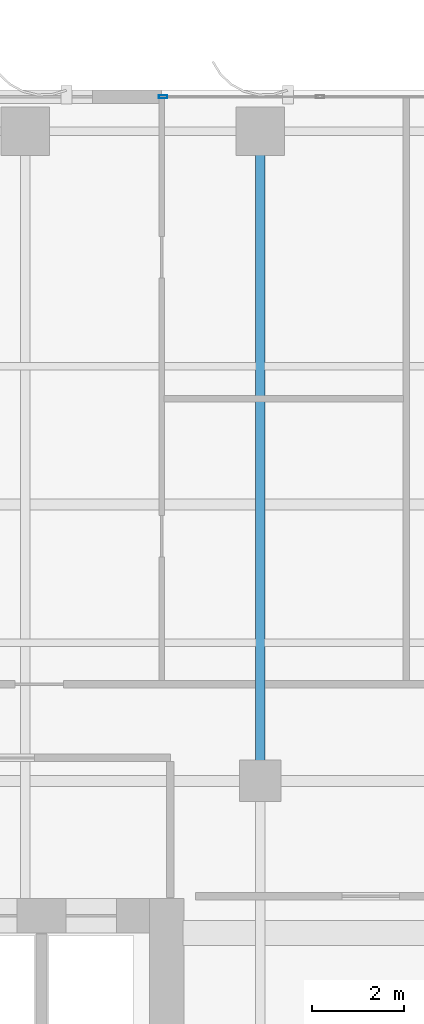
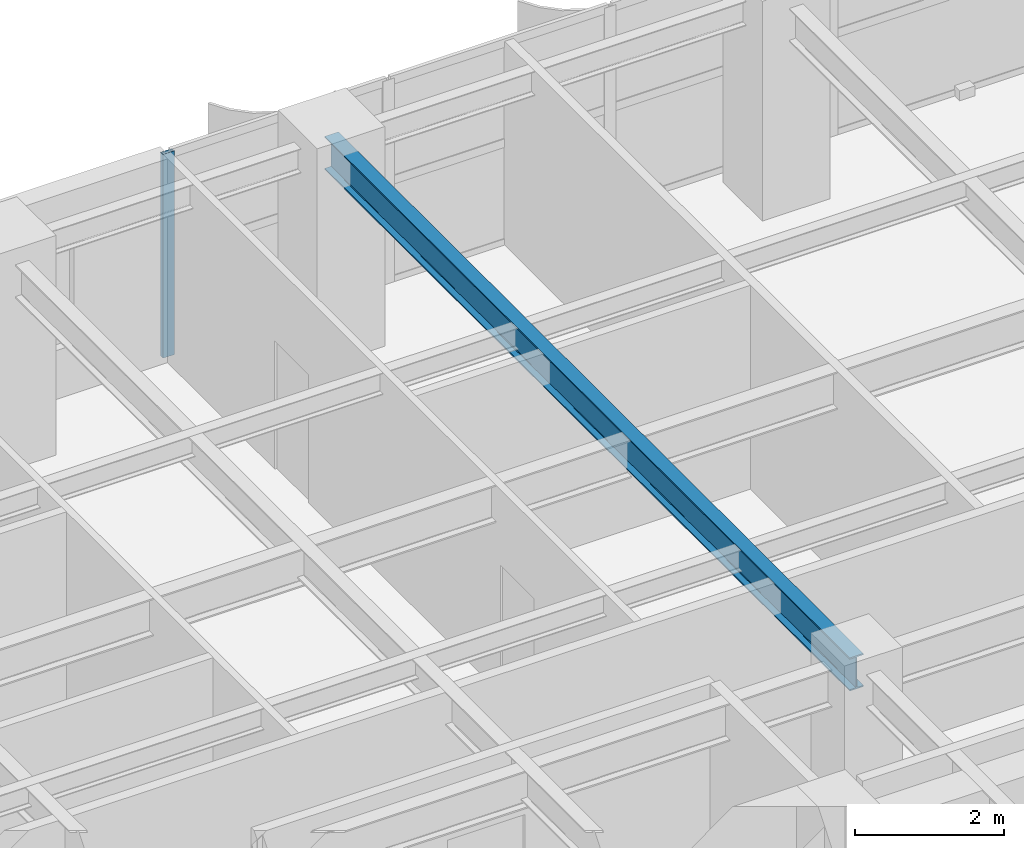
# One storey, part 14 of 26: 1 beam, 1 member, 1 element without a shape of its own.
"""IFC4 building model written with IfcOpenShell, lengths in metres."""

import ifcopenshell
import ifcopenshell.guid

model = None  # the IFC model being written
_history = None  # IfcOwnerHistory: only IFC2X3 demands one
_inside = {}  # id of a spatial element -> (the spatial element, [elements in it])
_under = {}  # id of a project, library or spatial element -> (it, [spatial elements below it])
_declared = {}  # id of a project -> (the project, [libraries it declares])
_typed = {}  # id of a type object -> (the type object, [elements of that type])
_made_of = {}  # id of a material, layer set ... -> (it, [elements and type objects made of it])


def new_model(schema):
    """Start an empty IFC model of exactly this schema.

    Asked for "IFC4X3", IfcOpenShell would pick the latest addendum, in which some entities
    have other attributes; the version numbers below select the first issue.
    IFC2X3 requires an IfcOwnerHistory on every rooted entity: one is made here for all.
    """
    global model, _history
    if schema == "IFC4X3":
        model = ifcopenshell.file(schema_version=(4, 3, 0, 0))
    else:
        model = ifcopenshell.file(schema=schema)
    _inside.clear()
    _under.clear()
    _declared.clear()
    _typed.clear()
    _made_of.clear()
    _history = None
    if model.schema == "IFC2X3":
        org = make("IfcOrganization", Name="unknown")
        user = make(
            "IfcPersonAndOrganization",
            ThePerson=make("IfcPerson", FamilyName="unknown"),
            TheOrganization=org,
        )
        app = make(
            "IfcApplication",
            ApplicationDeveloper=org,
            Version="unknown",
            ApplicationFullName="unknown",
            ApplicationIdentifier="unknown",
        )
        _history = make(
            "IfcOwnerHistory",
            OwningUser=user,
            OwningApplication=app,
            ChangeAction="ADDED",
            CreationDate=0,
        )
    return model


def make(cls, **values):
    """One entity of the class cls with the attributes given. An attribute that is None is left unset."""
    return model.create_entity(
        cls, **{name: value for name, value in values.items() if value is not None}
    )


def rooted(cls, **values):
    """An entity with a GlobalId (a new one), such as an element, a storey or a relation."""
    return make(cls, GlobalId=ifcopenshell.guid.new(), OwnerHistory=_history, **values)


def si_unit(unit_type, name, prefix=None):
    """IfcSIUnit, for example si_unit("LENGTHUNIT", "METRE", prefix="MILLI")."""
    return make("IfcSIUnit", UnitType=unit_type, Prefix=prefix, Name=name)


def assignment(units):
    """IfcUnitAssignment: the units of a project."""
    return None if units is None else make("IfcUnitAssignment", Units=units)


def point(xyz):
    """IfcCartesianPoint."""
    return None if xyz is None else make("IfcCartesianPoint", Coordinates=xyz)


def direction(xyz):
    """IfcDirection."""
    return None if xyz is None else make("IfcDirection", DirectionRatios=xyz)


def frame(location, z_axis=None, x_axis=None):
    """IfcAxis2Placement3D, a coordinate frame: its origin and axes. An axis left out is left unset."""
    return make(
        "IfcAxis2Placement3D",
        Location=point(location),
        Axis=direction(z_axis),
        RefDirection=direction(x_axis),
    )


def frame_2d(location, x_axis=None):
    """IfcAxis2Placement2D, a coordinate frame in the plane: its origin and x axis."""
    return make(
        "IfcAxis2Placement2D", Location=point(location), RefDirection=direction(x_axis)
    )


def origin():
    """The frame at (0, 0, 0) with its axes left unset."""
    return frame((0.0, 0.0, 0.0))


def origin_2d():
    """The frame at (0, 0) in the plane with its x axis left unset."""
    return frame_2d((0.0, 0.0))


def place(relative_to, where):
    """IfcLocalPlacement: puts the frame where relative to a parent placement (None: the world)."""
    return make(
        "IfcLocalPlacement", PlacementRelTo=relative_to, RelativePlacement=where
    )


def context(
    kind, dimensions, precision=None, world=None, true_north=None, identifier=None
):
    """IfcGeometricRepresentationContext, for example the 3D "Model" context."""
    return make(
        "IfcGeometricRepresentationContext",
        ContextIdentifier=identifier,
        ContextType=kind,
        CoordinateSpaceDimension=dimensions,
        Precision=precision,
        WorldCoordinateSystem=world,
        TrueNorth=true_north,
    )


def subcontext(parent, identifier, kind, view, scale=None):
    """IfcGeometricRepresentationSubContext, for example "Body" below "Model"."""
    return make(
        "IfcGeometricRepresentationSubContext",
        ContextIdentifier=identifier,
        ContextType=kind,
        ParentContext=parent,
        TargetScale=scale,
        TargetView=view,
    )


def project(units=None, contexts=None):
    """IfcProject with its units and contexts."""
    return rooted(
        "IfcProject",
        Name="project",
        RepresentationContexts=contexts,
        UnitsInContext=assignment(units),
    )


def spatial(cls, under=None, at=None, **own):
    """A site, building, storey or space (cls), placed at a placement, below another one or the project."""
    s = rooted(cls, ObjectPlacement=at, **own)
    if under is not None:
        _under.setdefault(under.id(), (under, []))[1].append(s)
    return s


def profile(cls, at=None, kind="AREA", **sizes):
    """A parametric profile (cls). Its sizes go by their IFC names, for example OverallWidth=200.0."""
    return make(cls, ProfileType=kind, Position=at, **sizes)


def hollow_rectangle(**sizes):
    """IfcRectangleHollowProfileDef."""
    return profile("IfcRectangleHollowProfileDef", **sizes)


def i_section(**sizes):
    """IfcIShapeProfileDef."""
    return profile("IfcIShapeProfileDef", **sizes)


def extrude(swept, where, along, depth):
    """IfcExtrudedAreaSolid: the profile swept, set in the frame where, extruded along a direction by depth."""
    return make(
        "IfcExtrudedAreaSolid",
        SweptArea=swept,
        Position=where,
        ExtrudedDirection=direction(along),
        Depth=depth,
    )


def shape(context_of_items, identifier, shape_type, items):
    """IfcShapeRepresentation: the items that make up one representation, for example the "Body"."""
    return make(
        "IfcShapeRepresentation",
        ContextOfItems=context_of_items,
        RepresentationIdentifier=identifier,
        RepresentationType=shape_type,
        Items=items,
    )


def source(mapping_origin, context_of_items, identifier, shape_type, items):
    """IfcRepresentationMap: a shape defined once, which mapped items show again and again."""
    return make(
        "IfcRepresentationMap",
        MappingOrigin=mapping_origin,
        MappedRepresentation=shape(context_of_items, identifier, shape_type, items),
    )


def transform(
    local_origin,
    x_axis=None,
    y_axis=None,
    z_axis=None,
    scale=None,
    scale2=None,
    scale3=None,
    uniform=True,
):
    """IfcCartesianTransformationOperator3D, or its non-uniform kind. x_axis, y_axis, z_axis: its Axis1, 2, 3."""
    if uniform:
        return make(
            "IfcCartesianTransformationOperator3D",
            Axis1=direction(x_axis),
            Axis2=direction(y_axis),
            LocalOrigin=point(local_origin),
            Scale=scale,
            Axis3=direction(z_axis),
        )
    return make(
        "IfcCartesianTransformationOperator3DnonUniform",
        Axis1=direction(x_axis),
        Axis2=direction(y_axis),
        LocalOrigin=point(local_origin),
        Scale=scale,
        Axis3=direction(z_axis),
        Scale2=scale2,
        Scale3=scale3,
    )


def mapped(mapping_source, mapping_target):
    """IfcMappedItem: shows the shape of a source again, moved by a transform."""
    return make(
        "IfcMappedItem", MappingSource=mapping_source, MappingTarget=mapping_target
    )


def material(Name=None, Category=None):
    """IfcMaterial."""
    return make("IfcMaterial", Name=Name, Category=Category)


def layer(
    of_material, thickness, ventilated=None, Name=None, Category=None, Priority=None
):
    """IfcMaterialLayer: one layer of a wall or slab, of a material (None: an air gap)."""
    return make(
        "IfcMaterialLayer",
        Material=of_material,
        LayerThickness=thickness,
        IsVentilated=ventilated,
        Name=Name,
        Category=Category,
        Priority=Priority,
    )


def layer_set(layers, Name=None):
    """IfcMaterialLayerSet."""
    return make("IfcMaterialLayerSet", MaterialLayers=layers, LayerSetName=Name)


def material_profile(
    of_material, cross_section, Name=None, Category=None, Priority=None
):
    """IfcMaterialProfile: a cross section and its material."""
    return make(
        "IfcMaterialProfile",
        Name=Name,
        Material=of_material,
        Profile=cross_section,
        Priority=Priority,
        Category=Category,
    )


def profile_set(profiles, Name=None, composite=None):
    """IfcMaterialProfileSet."""
    return make(
        "IfcMaterialProfileSet",
        Name=Name,
        MaterialProfiles=profiles,
        CompositeProfile=composite,
    )


def made_of(thing, what):
    """Note that an element or type object is made of a material, layer set ...; save() writes the relation."""
    if what is not None:
        _made_of.setdefault(what.id(), (what, []))[1].append(thing)
    return thing


def type_object(cls, material=None, **own):
    """A type object (cls), such as IfcWallType, which elements share."""
    return made_of(rooted(cls, **own), material)


def element(
    cls,
    number,
    at=None,
    inside=None,
    cuts=None,
    type_object=None,
    material=None,
    context=None,
    identifier="Body",
    shape_type=None,
    held_by="IfcProductDefinitionShape",
    body=None,
    shapes=None,
    **own,
):
    """One element of the class cls, such as IfcWall. Its Tag is "e" and its number.

    at: its placement. inside: the storey or other place that contains it. cuts: it is an
    opening in that element (IfcRelVoidsElement). A single representation is given by context,
    identifier, shape_type and body (its items); several are given by shapes. held_by: the class
    of the entity that holds the representations. save() writes the other relations.
    """
    e = rooted(cls, Tag="e%d" % number, ObjectPlacement=at, **own)
    if body is not None:
        shapes = [shape(context, identifier, shape_type, body)]
    if shapes is not None:
        e.Representation = make(held_by, Representations=shapes)
    if inside is not None:
        _inside.setdefault(inside.id(), (inside, []))[1].append(e)
    if cuts is not None:
        rooted(
            "IfcRelVoidsElement", RelatingBuildingElement=cuts, RelatedOpeningElement=e
        )
    if type_object is not None:
        _typed.setdefault(type_object.id(), (type_object, []))[1].append(e)
    return made_of(e, material)


def aggregate(whole, parts):
    """IfcRelAggregates: a whole, such as a stair, and the parts it consists of."""
    return rooted("IfcRelAggregates", RelatingObject=whole, RelatedObjects=parts)


def save(model, path):
    """Write the relations noted so far, then the file.

    IfcRelAggregates (storeys below a building ...), IfcRelContainedInSpatialStructure (elements
    in a storey), IfcRelDefinesByType, IfcRelAssociatesMaterial and IfcRelDeclares: one each for
    every whole, place, type object, material and project.
    """
    for whole, parts in _under.values():
        aggregate(whole, parts)
    for where, things in _inside.values():
        rooted(
            "IfcRelContainedInSpatialStructure",
            RelatedElements=things,
            RelatingStructure=where,
        )
    for kind, things in _typed.values():
        rooted("IfcRelDefinesByType", RelatedObjects=things, RelatingType=kind)
    for what, things in _made_of.values():
        rooted("IfcRelAssociatesMaterial", RelatedObjects=things, RelatingMaterial=what)
    for by, libraries in _declared.values():
        rooted("IfcRelDeclares", RelatingContext=by, RelatedDefinitions=libraries)
    model.write(path)


model = new_model("IFC4")

# Units and contexts
model_context = context("Model", 3, precision=1e-05, world=origin(), true_north=direction((0.0, 1.0)))
body_context = subcontext(model_context, "Body", "Model", "MODEL_VIEW")
ifc_project = project(units=[si_unit("LENGTHUNIT", "METRE"), si_unit("AREAUNIT", "SQUARE_METRE"), si_unit("VOLUMEUNIT", "CUBIC_METRE"), si_unit("PLANEANGLEUNIT", "RADIAN"), si_unit("MASSUNIT", "GRAM", prefix="KILO")], contexts=[model_context])

# Site, building, storey
site_placement = place(None, origin())
site = spatial("IfcSite", under=ifc_project, at=site_placement, CompositionType="ELEMENT")
building_placement = place(site_placement, origin())
building = spatial("IfcBuilding", under=site, at=building_placement, Name="Khoralis Quay Care Tower", CompositionType="ELEMENT")
storey_placement = place(building_placement, frame((0.0, 0.0, 126.89990234375)))
storey = spatial("IfcBuildingStorey", under=building, at=storey_placement, Name="L33", CompositionType="ELEMENT", Elevation=126.89990234375)

# Beam
ifc_material_1 = material(Name="Steel S355", Category="steel")
ifc_material_profile_1 = material_profile(ifc_material_1, i_section(OverallWidth=0.2119140625, OverallDepth=0.5439453125, WebThickness=0.01318359375, FlangeThickness=0.021240234375, FilletRadius=0.01611328125, at=origin_2d()), Name="Steel S355")
ifc_profile_set_1 = profile_set([ifc_material_profile_1], Name="Steel S355")
beam_type = type_object("IfcBeamType", Name="BM-W530X123", PredefinedType="BEAM", material=ifc_profile_set_1)
shared_shape_1 = source(origin(), body_context, "Body", "SweptSolid", [
    extrude(i_section(OverallWidth=0.2119140625, OverallDepth=0.5439453125, WebThickness=0.01318359375, FlangeThickness=0.021240234375, FilletRadius=0.01611328125, at=origin_2d()), origin(), (0.0, 0.0, 1.0), 14.10009765625),
])
beam_placement = place(storey_placement, frame((17.10009765625, 30.0, 3.068115234375), z_axis=(0.0, 1.0, 0.0), x_axis=(-1.0, 0.0, 0.0)))
element("IfcBeam", 1, at=beam_placement, inside=storey, type_object=beam_type, Name="BM-TGYN-L33-171", PredefinedType="BEAM", context=body_context, shape_type="MappedRepresentation", body=[
    mapped(shared_shape_1, transform((0.0, 0.0, 0.0), scale=1.0)),
])

# Curtain wall, member
ifc_material_2 = material(Name="Pale anodised aluminium", Category="aluminium")
ifc_layer = layer(ifc_material_2, 0.169921875)
ifc_layer_set = layer_set([ifc_layer], Name="Pale anodised aluminium")
curtain_wall_type = type_object("IfcCurtainWallType", Name="CW-SYS-Z2", PredefinedType="NOTDEFINED", material=ifc_layer_set)
curtain_wall_placement = place(storey_placement, origin())
curtain_wall = element("IfcCurtainWall", 2, at=curtain_wall_placement, inside=storey, type_object=curtain_wall_type, Name="L33 Unitised Curtain Wall CW-L33-P1-E10", PredefinedType="NOTDEFINED")
ifc_material_profile_2 = material_profile(ifc_material_2, hollow_rectangle(XDim=0.06494140625, YDim=0.179931640625, WallThickness=0.00390625, at=origin_2d()), Name="Pale anodised aluminium")
ifc_profile_set_2 = profile_set([ifc_material_profile_2], Name="Pale anodised aluminium")
member_type = type_object("IfcMemberType", Name="CW-MUL-180", PredefinedType="MULLION", material=ifc_profile_set_2)
shared_shape_2 = source(origin(), body_context, "Body", "SweptSolid", [
    extrude(hollow_rectangle(XDim=0.06494140625, YDim=0.179931640625, WallThickness=0.00390625, at=origin_2d()), origin(), (0.0, 0.0, 1.0), 3.340087890625),
])
member_placement = place(storey_placement, frame((14.990966796875, 44.85009765625, 0.0), z_axis=(0.0, 0.0, 1.0), x_axis=(0.0, -1.0, 0.0)))
member = element("IfcMember", 3, at=member_placement, type_object=member_type, Name="CW2 mullion 6", PredefinedType="MULLION", context=body_context, shape_type="MappedRepresentation", body=[
    mapped(shared_shape_2, transform((0.0, 0.0, 0.0), scale=1.0)),
])
aggregate(curtain_wall, [member])

save(model, "model.ifc")
